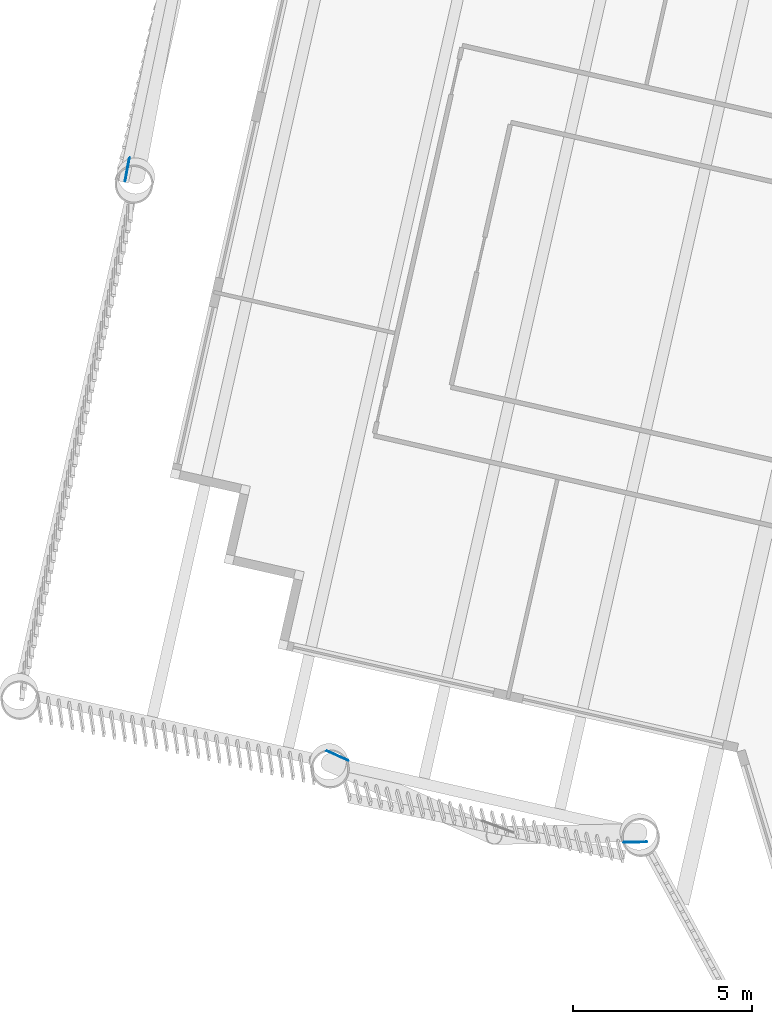
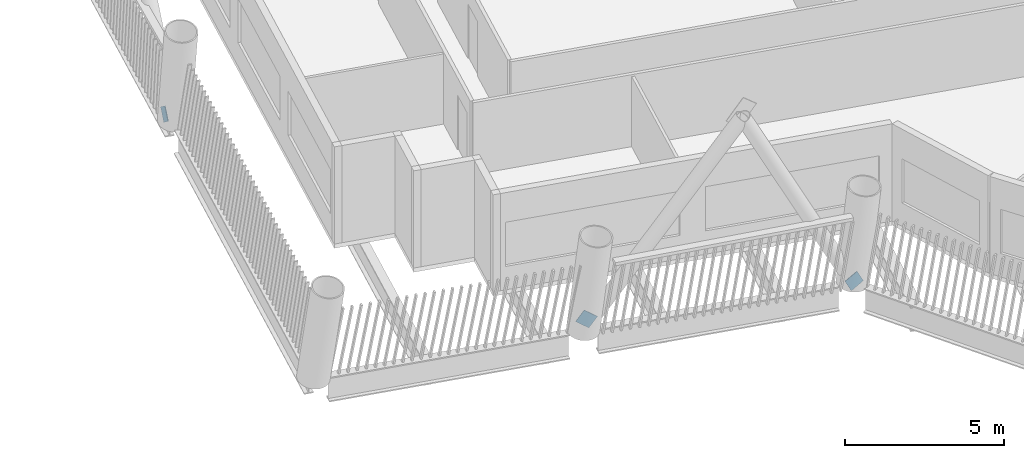
# One storey, part 13 of 23: 3 discrete accessories.
"""IFC4 building model written with IfcOpenShell, lengths in metres."""

from ifc_helpers import new_model, si_unit, direction, frame, origin, origin_2d, place, context, subcontext, project, spatial, rectangle, extrude, material, material_profile, profile_set, type_object, element, save


model = new_model("IFC4")

# Units and contexts
model_context = context("Model", 3, precision=1e-05, world=origin(), true_north=direction((0.0, 1.0)))
body_context = subcontext(model_context, "Body", "Model", "MODEL_VIEW")
ifc_project = project(units=[si_unit("LENGTHUNIT", "METRE"), si_unit("AREAUNIT", "SQUARE_METRE"), si_unit("VOLUMEUNIT", "CUBIC_METRE"), si_unit("PLANEANGLEUNIT", "RADIAN"), si_unit("MASSUNIT", "GRAM", prefix="KILO")], contexts=[model_context])

# Site, building, storey
site_placement = place(None, origin())
site = spatial("IfcSite", under=ifc_project, at=site_placement, CompositionType="ELEMENT")
building_placement = place(site_placement, origin())
building = spatial("IfcBuilding", under=site, at=building_placement, Name="Tarsis Ring Headquarters", CompositionType="ELEMENT")
storey_placement = place(building_placement, frame((0.0, 0.0, 231.60009765625)))
storey = spatial("IfcBuildingStorey", under=building, at=storey_placement, Name="L54", CompositionType="ELEMENT", Elevation=231.60009765625)

# Discrete accessories
ifc_material = material(Name="Structural steel S355", Category="steel")
ifc_material_profile = material_profile(ifc_material, rectangle(XDim=0.02490234375, YDim=0.5, at=origin_2d()), Name="PL 25x500")
ifc_profile_set = profile_set([ifc_material_profile], Name="Structural steel S355")
discrete_accessory_type = type_object("IfcDiscreteAccessoryType", Name="Gusset plate Exo brace 25", PredefinedType="BRACKET", material=ifc_profile_set)
discrete_accessory_1_placement = place(storey_placement, frame((-42.0048828125, 9.502197265625, 0.0), z_axis=(0.111846516542, 0.597328776115, 0.794159108719), x_axis=(-0.982917649096, 0.184045904859, 0.0)))
element("IfcDiscreteAccessory", 1, at=discrete_accessory_1_placement, inside=storey, type_object=discrete_accessory_type, Name="Gusset plate GP5", PredefinedType="BRACKET", context=body_context, shape_type="SweptSolid", body=[
    extrude(rectangle(XDim=0.02490234375, YDim=0.5, at=origin_2d()), origin(), (0.0, 0.0, 1.0), 0.499755859375),
])
discrete_accessory_2_placement = place(storey_placement, frame((-36.221435546875, -6.703857421875, 0.0), z_axis=(0.497565414955, -0.220706150696, 0.838878687824), x_axis=(0.405472497003, 0.91410724435, 0.0)))
element("IfcDiscreteAccessory", 2, at=discrete_accessory_2_placement, inside=storey, type_object=discrete_accessory_type, Name="Gusset plate GP5", PredefinedType="BRACKET", context=body_context, shape_type="SweptSolid", body=[
    extrude(rectangle(XDim=0.02490234375, YDim=0.5, at=origin_2d()), origin(), (0.0, 0.0, 1.0), 0.5),
])
discrete_accessory_3_placement = place(storey_placement, frame((-27.6416015625, -9.18017578125, 0.0), z_axis=(-0.461592155052, -0.009769146139, 0.88703846939), x_axis=(0.021159282906, -0.999776117312, 0.0)))
element("IfcDiscreteAccessory", 3, at=discrete_accessory_3_placement, inside=storey, type_object=discrete_accessory_type, Name="Gusset plate GP5", PredefinedType="BRACKET", context=body_context, shape_type="SweptSolid", body=[
    extrude(rectangle(XDim=0.02490234375, YDim=0.5, at=origin_2d()), origin(), (0.0, 0.0, 1.0), 0.499755859375),
])

save(model, "model.ifc")
